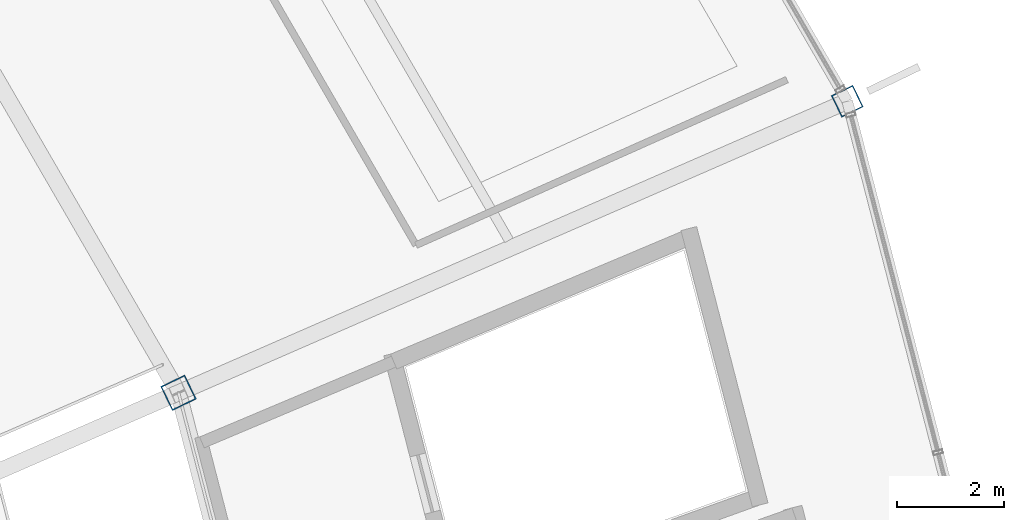
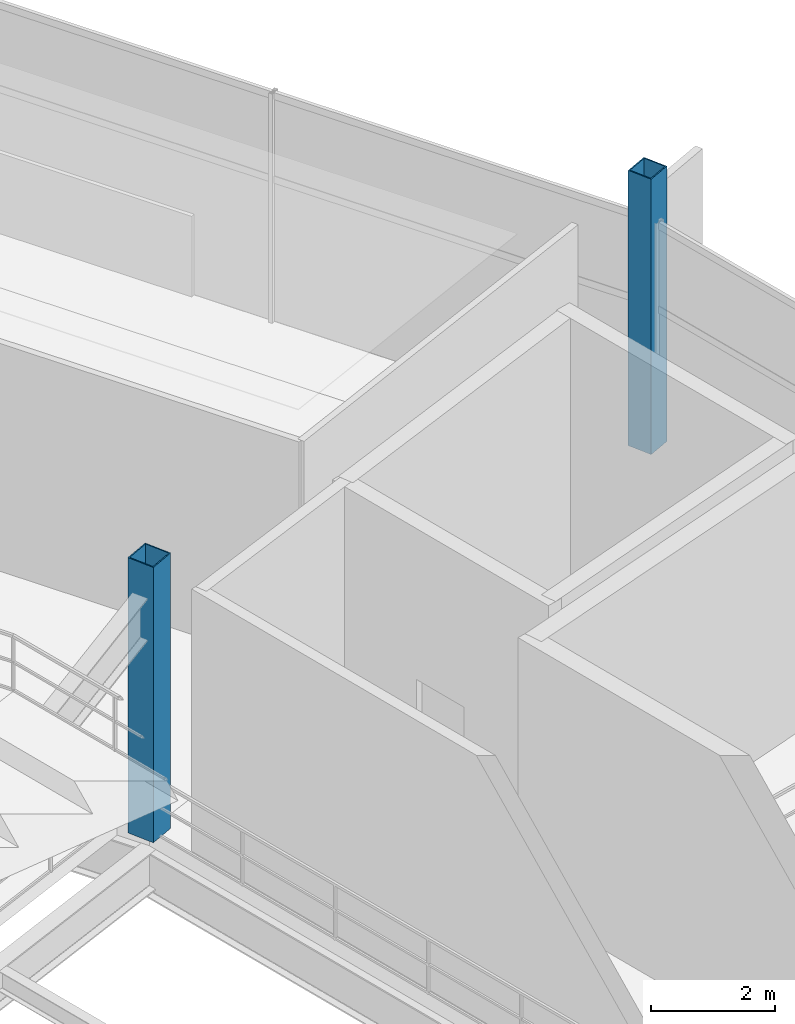
# One storey, part 7 of 186: 2 columns.
"""IFC4 building model written with IfcOpenShell, lengths in metres."""

from ifc_helpers import new_model, si_unit, direction, frame, origin, origin_2d, place, context, subcontext, project, spatial, hollow_rectangle, extrude, material, material_profile, profile_set, type_object, element, save


model = new_model("IFC4")

# Units and contexts
model_context = context("Model", 3, precision=1e-05, world=origin(), true_north=direction((0.0, 1.0)))
body_context = subcontext(model_context, "Body", "Model", "MODEL_VIEW")
ifc_project = project(units=[si_unit("LENGTHUNIT", "METRE"), si_unit("AREAUNIT", "SQUARE_METRE"), si_unit("VOLUMEUNIT", "CUBIC_METRE"), si_unit("PLANEANGLEUNIT", "RADIAN"), si_unit("MASSUNIT", "GRAM", prefix="KILO")], contexts=[model_context])

# Site, building, storey
site_placement = place(None, origin())
site = spatial("IfcSite", under=ifc_project, at=site_placement, CompositionType="ELEMENT")
building_placement = place(site_placement, origin())
building = spatial("IfcBuilding", under=site, at=building_placement, Name="Kazemori Nagisa Stadium", CompositionType="ELEMENT")
storey_placement = place(building_placement, frame((0.0, 0.0, 20.39990234375)))
storey = spatial("IfcBuildingStorey", under=building, at=storey_placement, Name="L04", CompositionType="ELEMENT", Elevation=20.39990234375)

# Columns
ifc_material = material(Name="Steel STKR490", Category="steel")
ifc_material_profile_1 = material_profile(ifc_material, hollow_rectangle(XDim=0.449951171875, YDim=0.449951171875, WallThickness=0.02197265625, at=origin_2d()), Name="SHS-450x450x22")
ifc_profile_set_1 = profile_set([ifc_material_profile_1], Name="Steel STKR490")
column_type_1 = type_object("IfcColumnType", Name="Column_C-ST450", PredefinedType="COLUMN", material=ifc_profile_set_1)
column_1_placement = place(storey_placement, frame((211.885009765625, 140.74951171875, 0.0), z_axis=(0.0, 0.0, 1.0), x_axis=(0.900968867905, 0.433883739113, 0.0)))
element("IfcColumn", 1, at=column_1_placement, inside=storey, type_object=column_type_1, Name="Column C-ST450 L04 R3-03", PredefinedType="COLUMN", context=body_context, shape_type="SweptSolid", body=[
    extrude(hollow_rectangle(XDim=0.449951171875, YDim=0.449951171875, WallThickness=0.02197265625, at=origin_2d()), origin(), (0.0, 0.0, 1.0), 5.440185546875),
])
ifc_material_profile_2 = material_profile(ifc_material, hollow_rectangle(XDim=0.5, YDim=0.5, WallThickness=0.02197265625, at=origin_2d()), Name="SHS-500x500x22")
ifc_profile_set_2 = profile_set([ifc_material_profile_2], Name="Steel STKR490")
column_type_2 = type_object("IfcColumnType", Name="Column_C-ST500", PredefinedType="COLUMN", material=ifc_profile_set_2)
column_2_placement = place(storey_placement, frame((199.44091796875, 135.32470703125, 0.0), z_axis=(0.0, 0.0, 1.0), x_axis=(0.900968867905, 0.433883739113, 0.0)))
element("IfcColumn", 2, at=column_2_placement, inside=storey, type_object=column_type_2, Name="Column C-ST500 L04 R2-03", PredefinedType="COLUMN", context=body_context, shape_type="SweptSolid", body=[
    extrude(hollow_rectangle(XDim=0.5, YDim=0.5, WallThickness=0.02197265625, at=origin_2d()), origin(), (0.0, 0.0, 1.0), 5.440185546875),
])

save(model, "model.ifc")
